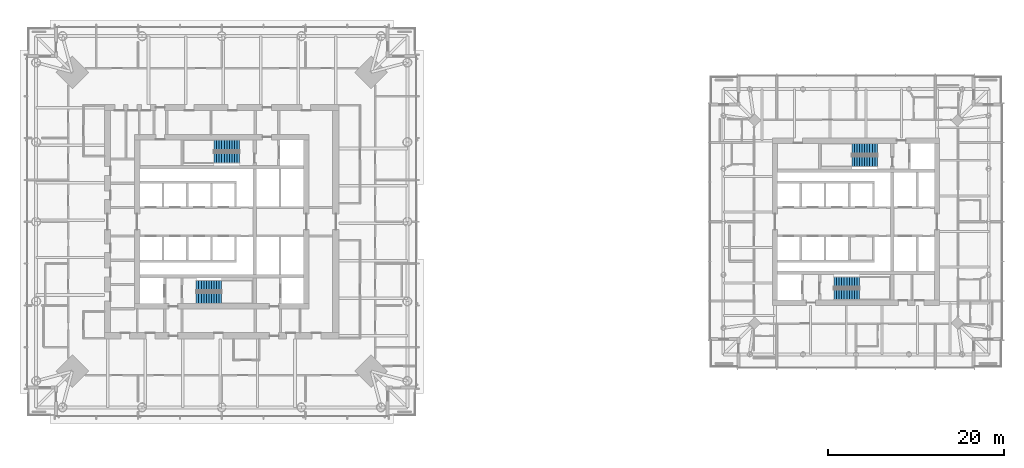
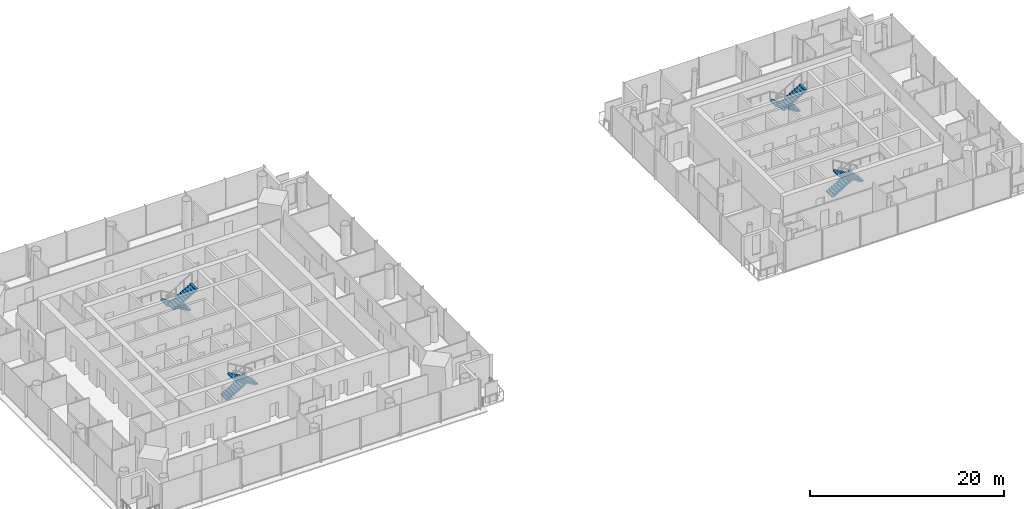
# One storey, part 17 of 27: 8 stair flights, 4 elements without a shape of their own.
"""IFC4 building model written with IfcOpenShell, lengths in metres."""

import ifcopenshell
import ifcopenshell.guid

model = None  # the IFC model being written
_history = None  # IfcOwnerHistory: only IFC2X3 demands one
_inside = {}  # id of a spatial element -> (the spatial element, [elements in it])
_under = {}  # id of a project, library or spatial element -> (it, [spatial elements below it])
_declared = {}  # id of a project -> (the project, [libraries it declares])
_typed = {}  # id of a type object -> (the type object, [elements of that type])
_made_of = {}  # id of a material, layer set ... -> (it, [elements and type objects made of it])


def new_model(schema):
    """Start an empty IFC model of exactly this schema.

    Asked for "IFC4X3", IfcOpenShell would pick the latest addendum, in which some entities
    have other attributes; the version numbers below select the first issue.
    IFC2X3 requires an IfcOwnerHistory on every rooted entity: one is made here for all.
    """
    global model, _history
    if schema == "IFC4X3":
        model = ifcopenshell.file(schema_version=(4, 3, 0, 0))
    else:
        model = ifcopenshell.file(schema=schema)
    _inside.clear()
    _under.clear()
    _declared.clear()
    _typed.clear()
    _made_of.clear()
    _history = None
    if model.schema == "IFC2X3":
        org = make("IfcOrganization", Name="unknown")
        user = make(
            "IfcPersonAndOrganization",
            ThePerson=make("IfcPerson", FamilyName="unknown"),
            TheOrganization=org,
        )
        app = make(
            "IfcApplication",
            ApplicationDeveloper=org,
            Version="unknown",
            ApplicationFullName="unknown",
            ApplicationIdentifier="unknown",
        )
        _history = make(
            "IfcOwnerHistory",
            OwningUser=user,
            OwningApplication=app,
            ChangeAction="ADDED",
            CreationDate=0,
        )
    return model


def make(cls, **values):
    """One entity of the class cls with the attributes given. An attribute that is None is left unset."""
    return model.create_entity(
        cls, **{name: value for name, value in values.items() if value is not None}
    )


def rooted(cls, **values):
    """An entity with a GlobalId (a new one), such as an element, a storey or a relation."""
    return make(cls, GlobalId=ifcopenshell.guid.new(), OwnerHistory=_history, **values)


def si_unit(unit_type, name, prefix=None):
    """IfcSIUnit, for example si_unit("LENGTHUNIT", "METRE", prefix="MILLI")."""
    return make("IfcSIUnit", UnitType=unit_type, Prefix=prefix, Name=name)


def assignment(units):
    """IfcUnitAssignment: the units of a project."""
    return None if units is None else make("IfcUnitAssignment", Units=units)


def point(xyz):
    """IfcCartesianPoint."""
    return None if xyz is None else make("IfcCartesianPoint", Coordinates=xyz)


def direction(xyz):
    """IfcDirection."""
    return None if xyz is None else make("IfcDirection", DirectionRatios=xyz)


def frame(location, z_axis=None, x_axis=None):
    """IfcAxis2Placement3D, a coordinate frame: its origin and axes. An axis left out is left unset."""
    return make(
        "IfcAxis2Placement3D",
        Location=point(location),
        Axis=direction(z_axis),
        RefDirection=direction(x_axis),
    )


def origin():
    """The frame at (0, 0, 0) with its axes left unset."""
    return frame((0.0, 0.0, 0.0))


def place(relative_to, where):
    """IfcLocalPlacement: puts the frame where relative to a parent placement (None: the world)."""
    return make(
        "IfcLocalPlacement", PlacementRelTo=relative_to, RelativePlacement=where
    )


def context(
    kind, dimensions, precision=None, world=None, true_north=None, identifier=None
):
    """IfcGeometricRepresentationContext, for example the 3D "Model" context."""
    return make(
        "IfcGeometricRepresentationContext",
        ContextIdentifier=identifier,
        ContextType=kind,
        CoordinateSpaceDimension=dimensions,
        Precision=precision,
        WorldCoordinateSystem=world,
        TrueNorth=true_north,
    )


def subcontext(parent, identifier, kind, view, scale=None):
    """IfcGeometricRepresentationSubContext, for example "Body" below "Model"."""
    return make(
        "IfcGeometricRepresentationSubContext",
        ContextIdentifier=identifier,
        ContextType=kind,
        ParentContext=parent,
        TargetScale=scale,
        TargetView=view,
    )


def project(units=None, contexts=None):
    """IfcProject with its units and contexts."""
    return rooted(
        "IfcProject",
        Name="project",
        RepresentationContexts=contexts,
        UnitsInContext=assignment(units),
    )


def spatial(cls, under=None, at=None, **own):
    """A site, building, storey or space (cls), placed at a placement, below another one or the project."""
    s = rooted(cls, ObjectPlacement=at, **own)
    if under is not None:
        _under.setdefault(under.id(), (under, []))[1].append(s)
    return s


def polyline(points):
    """IfcPolyline through the points."""
    return make("IfcPolyline", Points=[point(p) for p in points])


def outline(outer, holes=None, kind="AREA"):
    """IfcArbitraryClosedProfileDef: a profile drawn as a closed curve; with holes, ...WithVoids."""
    if holes is None:
        return make("IfcArbitraryClosedProfileDef", ProfileType=kind, OuterCurve=outer)
    return make(
        "IfcArbitraryProfileDefWithVoids",
        ProfileType=kind,
        OuterCurve=outer,
        InnerCurves=holes,
    )


def extrude(swept, where, along, depth):
    """IfcExtrudedAreaSolid: the profile swept, set in the frame where, extruded along a direction by depth."""
    return make(
        "IfcExtrudedAreaSolid",
        SweptArea=swept,
        Position=where,
        ExtrudedDirection=direction(along),
        Depth=depth,
    )


def shape(context_of_items, identifier, shape_type, items):
    """IfcShapeRepresentation: the items that make up one representation, for example the "Body"."""
    return make(
        "IfcShapeRepresentation",
        ContextOfItems=context_of_items,
        RepresentationIdentifier=identifier,
        RepresentationType=shape_type,
        Items=items,
    )


def material(Name=None, Category=None):
    """IfcMaterial."""
    return make("IfcMaterial", Name=Name, Category=Category)


def made_of(thing, what):
    """Note that an element or type object is made of a material, layer set ...; save() writes the relation."""
    if what is not None:
        _made_of.setdefault(what.id(), (what, []))[1].append(thing)
    return thing


def type_object(cls, material=None, **own):
    """A type object (cls), such as IfcWallType, which elements share."""
    return made_of(rooted(cls, **own), material)


def element(
    cls,
    number,
    at=None,
    inside=None,
    cuts=None,
    type_object=None,
    material=None,
    context=None,
    identifier="Body",
    shape_type=None,
    held_by="IfcProductDefinitionShape",
    body=None,
    shapes=None,
    **own,
):
    """One element of the class cls, such as IfcWall. Its Tag is "e" and its number.

    at: its placement. inside: the storey or other place that contains it. cuts: it is an
    opening in that element (IfcRelVoidsElement). A single representation is given by context,
    identifier, shape_type and body (its items); several are given by shapes. held_by: the class
    of the entity that holds the representations. save() writes the other relations.
    """
    e = rooted(cls, Tag="e%d" % number, ObjectPlacement=at, **own)
    if body is not None:
        shapes = [shape(context, identifier, shape_type, body)]
    if shapes is not None:
        e.Representation = make(held_by, Representations=shapes)
    if inside is not None:
        _inside.setdefault(inside.id(), (inside, []))[1].append(e)
    if cuts is not None:
        rooted(
            "IfcRelVoidsElement", RelatingBuildingElement=cuts, RelatedOpeningElement=e
        )
    if type_object is not None:
        _typed.setdefault(type_object.id(), (type_object, []))[1].append(e)
    return made_of(e, material)


def aggregate(whole, parts):
    """IfcRelAggregates: a whole, such as a stair, and the parts it consists of."""
    return rooted("IfcRelAggregates", RelatingObject=whole, RelatedObjects=parts)


def save(model, path):
    """Write the relations noted so far, then the file.

    IfcRelAggregates (storeys below a building ...), IfcRelContainedInSpatialStructure (elements
    in a storey), IfcRelDefinesByType, IfcRelAssociatesMaterial and IfcRelDeclares: one each for
    every whole, place, type object, material and project.
    """
    for whole, parts in _under.values():
        aggregate(whole, parts)
    for where, things in _inside.values():
        rooted(
            "IfcRelContainedInSpatialStructure",
            RelatedElements=things,
            RelatingStructure=where,
        )
    for kind, things in _typed.values():
        rooted("IfcRelDefinesByType", RelatedObjects=things, RelatingType=kind)
    for what, things in _made_of.values():
        rooted("IfcRelAssociatesMaterial", RelatedObjects=things, RelatingMaterial=what)
    for by, libraries in _declared.values():
        rooted("IfcRelDeclares", RelatingContext=by, RelatedDefinitions=libraries)
    model.write(path)


model = new_model("IFC4")

# Units and contexts
model_context = context("Model", 3, precision=1e-05, world=origin(), true_north=direction((0.0, 1.0)))
body_context = subcontext(model_context, "Body", "Model", "MODEL_VIEW")
ifc_project = project(units=[si_unit("LENGTHUNIT", "METRE"), si_unit("AREAUNIT", "SQUARE_METRE"), si_unit("VOLUMEUNIT", "CUBIC_METRE"), si_unit("PLANEANGLEUNIT", "RADIAN"), si_unit("MASSUNIT", "GRAM", prefix="KILO")], contexts=[model_context])

# Site, building, storey
site_placement = place(None, origin())
site = spatial("IfcSite", under=ifc_project, at=site_placement, CompositionType="ELEMENT")
building_placement = place(site_placement, origin())
building = spatial("IfcBuilding", under=site, at=building_placement, Name="Ostroluk Exchange", CompositionType="ELEMENT")
storey_placement = place(building_placement, frame((0.0, 0.0, 112.199951171875)))
storey = spatial("IfcBuildingStorey", under=building, at=storey_placement, Name="L28", CompositionType="ELEMENT", Elevation=112.199951171875)

# Stair, stair flights
ifc_material_1 = material(Name="Concrete C30/37", Category="concrete")
stair_type = type_object("IfcStairType", Name="Exit stair half turn 3800", PredefinedType="HALF_TURN_STAIR", material=ifc_material_1)
stair_1_placement = place(storey_placement, origin())
stair_1 = element("IfcStair", 1, at=stair_1_placement, inside=storey, type_object=stair_type, Name="Stair T1-S1 L28", PredefinedType="HALF_TURN_STAIR")
ifc_material_2 = material(Name="Concrete C30/37", Category="concrete")
stair_flight_type = type_object("IfcStairFlightType", Name="Stair flight 11 risers 172.7 x 290", PredefinedType="STRAIGHT", material=ifc_material_2)
stair_flight_1_placement = place(storey_placement, frame((42.10009765625, 38.77490234375, 0.0), z_axis=(0.0, 0.0, 1.0), x_axis=(1.0, 0.0, 0.0)))
stair_flight_1 = element("IfcStairFlight", 2, at=stair_flight_1_placement, type_object=stair_flight_type, Name="T1-S1 flight 1", NumberOfRisers=11, NumberOfTreads=10, PredefinedType="STRAIGHT", RiserHeight=0.172727273, TreadLength=0.29, context=body_context, shape_type="SweptSolid", body=[
    extrude(outline(polyline([(0.0, 0.0), (0.0, 0.172607421875), (0.2900390625, 0.172607421875), (0.2900390625, 0.345458984375), (0.580078125, 0.345458984375), (0.580078125, 0.51806640625), (0.8701171875, 0.51806640625), (0.8701171875, 0.69091796875), (1.159912109375, 0.69091796875), (1.159912109375, 0.863525390625), (1.449951171875, 0.863525390625), (1.449951171875, 1.036376953125), (1.739990234375, 1.036376953125), (1.739990234375, 1.208984375), (2.030029296875, 1.208984375), (2.030029296875, 1.3818359375), (2.320068359375, 1.3818359375), (2.320068359375, 1.554443359375), (2.610107421875, 1.554443359375), (2.610107421875, 1.727294921875), (2.89990234375, 1.727294921875), (2.89990234375, 1.89990234375), (2.89990234375, 1.552734375), (0.29296875, 0.0), (0.0, 0.0)])), frame((0.0, 0.625, 0.0), z_axis=(0.0, -1.0, 0.0), x_axis=(1.0, 0.0, 0.0)), (0.0, 0.0, 1.0), 1.25),
])
stair_flight_2_placement = place(storey_placement, frame((45.0, 37.324951171875, 1.900146484375), z_axis=(0.0, 0.0, 1.0), x_axis=(-1.0, 0.0, 0.0)))
stair_flight_2 = element("IfcStairFlight", 3, at=stair_flight_2_placement, type_object=stair_flight_type, Name="T1-S1 flight 2", NumberOfRisers=11, NumberOfTreads=10, PredefinedType="STRAIGHT", RiserHeight=0.172727273, TreadLength=0.29, context=body_context, shape_type="SweptSolid", body=[
    extrude(outline(polyline([(0.0, 0.0), (0.0, 0.172607421875), (0.2900390625, 0.172607421875), (0.2900390625, 0.345458984375), (0.580078125, 0.345458984375), (0.580078125, 0.51806640625), (0.8701171875, 0.51806640625), (0.8701171875, 0.69091796875), (1.159912109375, 0.69091796875), (1.159912109375, 0.863525390625), (1.449951171875, 0.863525390625), (1.449951171875, 1.036376953125), (1.739990234375, 1.036376953125), (1.739990234375, 1.208984375), (2.030029296875, 1.208984375), (2.030029296875, 1.3818359375), (2.320068359375, 1.3818359375), (2.320068359375, 1.554443359375), (2.610107421875, 1.554443359375), (2.610107421875, 1.727294921875), (2.89990234375, 1.727294921875), (2.89990234375, 1.89990234375), (2.89990234375, 1.552734375), (0.29296875, 0.0), (0.0, 0.0)])), frame((0.0, 0.625, 0.0), z_axis=(0.0, -1.0, 0.0), x_axis=(1.0, 0.0, 0.0)), (0.0, 0.0, 1.0), 1.25),
])
aggregate(stair_1, [stair_flight_1, stair_flight_2])

stair_2_placement = place(storey_placement, origin())
stair_2 = element("IfcStair", 4, at=stair_2_placement, inside=storey, type_object=stair_type, Name="Stair T1-S2 L28", PredefinedType="HALF_TURN_STAIR")
stair_flight_3_placement = place(storey_placement, frame((47.030029296875, 54.675048828125, 0.0), z_axis=(0.0, 0.0, 1.0), x_axis=(-1.0, 0.0, 0.0)))
stair_flight_3 = element("IfcStairFlight", 5, at=stair_flight_3_placement, type_object=stair_flight_type, Name="T1-S2 flight 1", NumberOfRisers=11, NumberOfTreads=10, PredefinedType="STRAIGHT", RiserHeight=0.172727273, TreadLength=0.29, context=body_context, shape_type="SweptSolid", body=[
    extrude(outline(polyline([(0.0, 0.0), (0.0, 0.172607421875), (0.2900390625, 0.172607421875), (0.2900390625, 0.345458984375), (0.580078125, 0.345458984375), (0.580078125, 0.51806640625), (0.8701171875, 0.51806640625), (0.8701171875, 0.69091796875), (1.159912109375, 0.69091796875), (1.159912109375, 0.863525390625), (1.449951171875, 0.863525390625), (1.449951171875, 1.036376953125), (1.739990234375, 1.036376953125), (1.739990234375, 1.208984375), (2.030029296875, 1.208984375), (2.030029296875, 1.3818359375), (2.320068359375, 1.3818359375), (2.320068359375, 1.554443359375), (2.610107421875, 1.554443359375), (2.610107421875, 1.727294921875), (2.89990234375, 1.727294921875), (2.89990234375, 1.89990234375), (2.89990234375, 1.552734375), (0.29296875, 0.0), (0.0, 0.0)])), frame((0.0, 0.625, 0.0), z_axis=(0.0, -1.0, 0.0), x_axis=(1.0, 0.0, 0.0)), (0.0, 0.0, 1.0), 1.25),
])
stair_flight_4_placement = place(storey_placement, frame((44.1298828125, 53.22509765625, 1.900146484375), z_axis=(0.0, 0.0, 1.0), x_axis=(1.0, 0.0, 0.0)))
stair_flight_4 = element("IfcStairFlight", 6, at=stair_flight_4_placement, type_object=stair_flight_type, Name="T1-S2 flight 2", NumberOfRisers=11, NumberOfTreads=10, PredefinedType="STRAIGHT", RiserHeight=0.172727273, TreadLength=0.29, context=body_context, shape_type="SweptSolid", body=[
    extrude(outline(polyline([(0.0, 0.0), (0.0, 0.172607421875), (0.2900390625, 0.172607421875), (0.2900390625, 0.345458984375), (0.580078125, 0.345458984375), (0.580078125, 0.51806640625), (0.8701171875, 0.51806640625), (0.8701171875, 0.69091796875), (1.159912109375, 0.69091796875), (1.159912109375, 0.863525390625), (1.449951171875, 0.863525390625), (1.449951171875, 1.036376953125), (1.739990234375, 1.036376953125), (1.739990234375, 1.208984375), (2.030029296875, 1.208984375), (2.030029296875, 1.3818359375), (2.320068359375, 1.3818359375), (2.320068359375, 1.554443359375), (2.610107421875, 1.554443359375), (2.610107421875, 1.727294921875), (2.89990234375, 1.727294921875), (2.89990234375, 1.89990234375), (2.89990234375, 1.552734375), (0.29296875, 0.0), (0.0, 0.0)])), frame((0.0, 0.625, 0.0), z_axis=(0.0, -1.0, 0.0), x_axis=(1.0, 0.0, 0.0)), (0.0, 0.0, 1.0), 1.25),
])
aggregate(stair_2, [stair_flight_3, stair_flight_4])

stair_3_placement = place(storey_placement, origin())
stair_3 = element("IfcStair", 7, at=stair_3_placement, inside=storey, type_object=stair_type, Name="Stair T2-S1 L28", PredefinedType="HALF_TURN_STAIR")
stair_flight_5_placement = place(storey_placement, frame((114.5, 39.175048828125, 0.0), z_axis=(0.0, 0.0, 1.0), x_axis=(1.0, 0.0, 0.0)))
stair_flight_5 = element("IfcStairFlight", 8, at=stair_flight_5_placement, type_object=stair_flight_type, Name="T2-S1 flight 1", NumberOfRisers=11, NumberOfTreads=10, PredefinedType="STRAIGHT", RiserHeight=0.172727273, TreadLength=0.29, context=body_context, shape_type="SweptSolid", body=[
    extrude(outline(polyline([(0.0, 0.0), (0.0, 0.172607421875), (0.2900390625, 0.172607421875), (0.2900390625, 0.345458984375), (0.580078125, 0.345458984375), (0.580078125, 0.51806640625), (0.8701171875, 0.51806640625), (0.8701171875, 0.69091796875), (1.159912109375, 0.69091796875), (1.159912109375, 0.863525390625), (1.449951171875, 0.863525390625), (1.449951171875, 1.036376953125), (1.739990234375, 1.036376953125), (1.739990234375, 1.208984375), (2.030029296875, 1.208984375), (2.030029296875, 1.3818359375), (2.320068359375, 1.3818359375), (2.320068359375, 1.554443359375), (2.610107421875, 1.554443359375), (2.610107421875, 1.727294921875), (2.89990234375, 1.727294921875), (2.89990234375, 1.89990234375), (2.89990234375, 1.552734375), (0.29296875, 0.0), (0.0, 0.0)])), frame((0.0, 0.625, 0.0), z_axis=(0.0, -1.0, 0.0), x_axis=(1.0, 0.0, 0.0)), (0.0, 0.0, 1.0), 1.25),
])
stair_flight_6_placement = place(storey_placement, frame((117.39990234375, 37.72509765625, 1.900146484375), z_axis=(0.0, 0.0, 1.0), x_axis=(-1.0, 0.0, 0.0)))
stair_flight_6 = element("IfcStairFlight", 9, at=stair_flight_6_placement, type_object=stair_flight_type, Name="T2-S1 flight 2", NumberOfRisers=11, NumberOfTreads=10, PredefinedType="STRAIGHT", RiserHeight=0.172727273, TreadLength=0.29, context=body_context, shape_type="SweptSolid", body=[
    extrude(outline(polyline([(0.0, 0.0), (0.0, 0.172607421875), (0.2900390625, 0.172607421875), (0.2900390625, 0.345458984375), (0.580078125, 0.345458984375), (0.580078125, 0.51806640625), (0.8701171875, 0.51806640625), (0.8701171875, 0.69091796875), (1.159912109375, 0.69091796875), (1.159912109375, 0.863525390625), (1.449951171875, 0.863525390625), (1.449951171875, 1.036376953125), (1.739990234375, 1.036376953125), (1.739990234375, 1.208984375), (2.030029296875, 1.208984375), (2.030029296875, 1.3818359375), (2.320068359375, 1.3818359375), (2.320068359375, 1.554443359375), (2.610107421875, 1.554443359375), (2.610107421875, 1.727294921875), (2.89990234375, 1.727294921875), (2.89990234375, 1.89990234375), (2.89990234375, 1.552734375), (0.29296875, 0.0), (0.0, 0.0)])), frame((0.0, 0.625, 0.0), z_axis=(0.0, -1.0, 0.0), x_axis=(1.0, 0.0, 0.0)), (0.0, 0.0, 1.0), 1.25),
])
aggregate(stair_3, [stair_flight_5, stair_flight_6])

stair_4_placement = place(storey_placement, origin())
stair_4 = element("IfcStair", 10, at=stair_4_placement, inside=storey, type_object=stair_type, Name="Stair T2-S2 L28", PredefinedType="HALF_TURN_STAIR")
stair_flight_7_placement = place(storey_placement, frame((119.429931640625, 54.27490234375, 0.0), z_axis=(0.0, 0.0, 1.0), x_axis=(-1.0, 0.0, 0.0)))
stair_flight_7 = element("IfcStairFlight", 11, at=stair_flight_7_placement, type_object=stair_flight_type, Name="T2-S2 flight 1", NumberOfRisers=11, NumberOfTreads=10, PredefinedType="STRAIGHT", RiserHeight=0.172727273, TreadLength=0.29, context=body_context, shape_type="SweptSolid", body=[
    extrude(outline(polyline([(0.0, 0.0), (0.0, 0.172607421875), (0.2900390625, 0.172607421875), (0.2900390625, 0.345458984375), (0.580078125, 0.345458984375), (0.580078125, 0.51806640625), (0.8701171875, 0.51806640625), (0.8701171875, 0.69091796875), (1.159912109375, 0.69091796875), (1.159912109375, 0.863525390625), (1.449951171875, 0.863525390625), (1.449951171875, 1.036376953125), (1.739990234375, 1.036376953125), (1.739990234375, 1.208984375), (2.030029296875, 1.208984375), (2.030029296875, 1.3818359375), (2.320068359375, 1.3818359375), (2.320068359375, 1.554443359375), (2.610107421875, 1.554443359375), (2.610107421875, 1.727294921875), (2.89990234375, 1.727294921875), (2.89990234375, 1.89990234375), (2.89990234375, 1.552734375), (0.29296875, 0.0), (0.0, 0.0)])), frame((0.0, 0.625, 0.0), z_axis=(0.0, -1.0, 0.0), x_axis=(1.0, 0.0, 0.0)), (0.0, 0.0, 1.0), 1.25),
])
stair_flight_8_placement = place(storey_placement, frame((116.530029296875, 52.824951171875, 1.900146484375), z_axis=(0.0, 0.0, 1.0), x_axis=(1.0, 0.0, 0.0)))
stair_flight_8 = element("IfcStairFlight", 12, at=stair_flight_8_placement, type_object=stair_flight_type, Name="T2-S2 flight 2", NumberOfRisers=11, NumberOfTreads=10, PredefinedType="STRAIGHT", RiserHeight=0.172727273, TreadLength=0.29, context=body_context, shape_type="SweptSolid", body=[
    extrude(outline(polyline([(0.0, 0.0), (0.0, 0.172607421875), (0.2900390625, 0.172607421875), (0.2900390625, 0.345458984375), (0.580078125, 0.345458984375), (0.580078125, 0.51806640625), (0.8701171875, 0.51806640625), (0.8701171875, 0.69091796875), (1.159912109375, 0.69091796875), (1.159912109375, 0.863525390625), (1.449951171875, 0.863525390625), (1.449951171875, 1.036376953125), (1.739990234375, 1.036376953125), (1.739990234375, 1.208984375), (2.030029296875, 1.208984375), (2.030029296875, 1.3818359375), (2.320068359375, 1.3818359375), (2.320068359375, 1.554443359375), (2.610107421875, 1.554443359375), (2.610107421875, 1.727294921875), (2.89990234375, 1.727294921875), (2.89990234375, 1.89990234375), (2.89990234375, 1.552734375), (0.29296875, 0.0), (0.0, 0.0)])), frame((0.0, 0.625, 0.0), z_axis=(0.0, -1.0, 0.0), x_axis=(1.0, 0.0, 0.0)), (0.0, 0.0, 1.0), 1.25),
])
aggregate(stair_4, [stair_flight_7, stair_flight_8])

save(model, "model.ifc")
